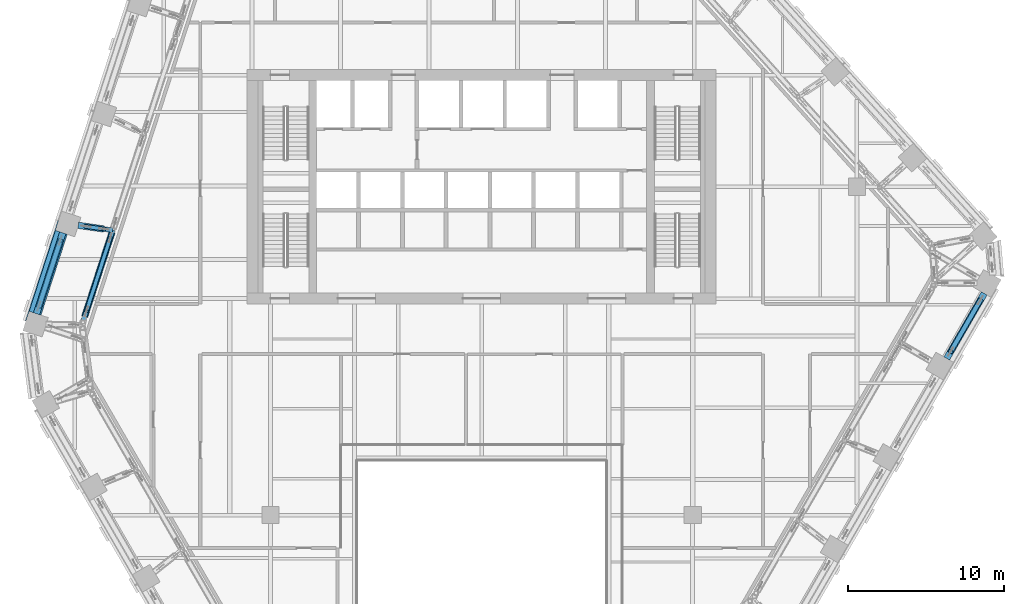
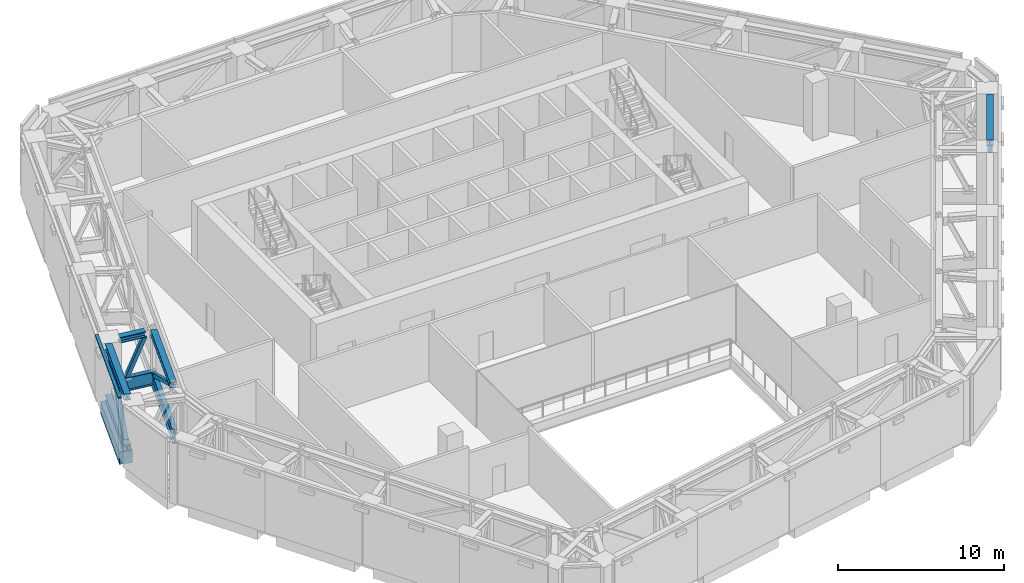
# One storey, part 8 of 26: 12 members, 1 beam, 1 element without a shape of its own.
"""IFC4 building model written with IfcOpenShell, lengths in metres."""

from ifc_helpers import new_model, si_unit, direction, frame, origin, origin_2d, place, context, subcontext, project, spatial, rectangle, hollow_rectangle, i_section, extrude, material, layer, layer_set, material_profile, profile_set, type_object, element, aggregate, save


model = new_model("IFC4")

# Units and contexts
model_context = context("Model", 3, precision=1e-05, world=origin(), true_north=direction((0.0, 1.0)))
body_context = subcontext(model_context, "Body", "Model", "MODEL_VIEW")
ifc_project = project(units=[si_unit("LENGTHUNIT", "METRE"), si_unit("AREAUNIT", "SQUARE_METRE"), si_unit("VOLUMEUNIT", "CUBIC_METRE"), si_unit("PLANEANGLEUNIT", "RADIAN"), si_unit("MASSUNIT", "GRAM", prefix="KILO")], contexts=[model_context])

# Site, building, storey
site_placement = place(None, origin())
site = spatial("IfcSite", under=ifc_project, at=site_placement, CompositionType="ELEMENT")
building_placement = place(site_placement, origin())
building = spatial("IfcBuilding", under=site, at=building_placement, Name="Isthmus Gate Tower", CompositionType="ELEMENT")
storey_placement = place(building_placement, frame((0.0, 0.0, 207.300048828125)))
storey = spatial("IfcBuildingStorey", under=building, at=storey_placement, Name="L52", CompositionType="ELEMENT", Elevation=207.300048828125)

# Members
ifc_material_1 = material(Name="Structural steel ASTM A913 Gr 65", Category="steel")
ifc_material_profile_1 = material_profile(ifc_material_1, i_section(OverallWidth=0.42236328125, OverallDepth=0.46337890625, WebThickness=0.04443359375, FlangeThickness=0.072998046875, at=origin_2d()), Name="W14X398")
ifc_profile_set_1 = profile_set([ifc_material_profile_1], Name="Structural steel ASTM A913 Gr 65")
member_type_1 = type_object("IfcMemberType", Name="BELT TRUSS CHORD W14X398", PredefinedType="CHORD", material=ifc_profile_set_1)
member_1_placement = place(storey_placement, frame((32.146728515625, 0.6796875, 3.96826171875), z_axis=(-0.500017431331, -0.866015339567, 0.0), x_axis=(0.866015339567, -0.500017431331, 0.0)))
element("IfcMember", 1, at=member_1_placement, inside=storey, type_object=member_type_1, Name="str-belt06-L52-02", PredefinedType="CHORD", context=body_context, shape_type="SweptSolid", body=[
    extrude(i_section(OverallWidth=0.42236328125, OverallDepth=0.46337890625, WebThickness=0.04443359375, FlangeThickness=0.072998046875, at=origin_2d()), origin(), (0.0, 0.0, 1.0), 4.800048828125),
])
for number, where, z_axis, x_axis, name in (
    (2, (-28.47314453125, -0.619384765625, 0.231689453125), (0.309030267747, 0.951052203413, 0.0), (-0.951052203413, 0.309030267747, 0.0), "str-belt21-L52-01"),
    (3, (-28.47314453125, -0.619384765625, 3.96826171875), (0.309030267747, 0.951052203413, 0.0), (-0.951052203413, 0.309030267747, 0.0), "str-belt21-L52-02"),
):
    element("IfcMember", number, at=place(storey_placement, frame(where, z_axis=z_axis, x_axis=x_axis)), inside=storey, type_object=member_type_1, Name=name, PredefinedType="CHORD", context=body_context, shape_type="SweptSolid", body=[
        extrude(i_section(OverallWidth=0.42236328125, OverallDepth=0.46337890625, WebThickness=0.04443359375, FlangeThickness=0.072998046875, at=origin_2d()), origin(), (0.0, 0.0, 1.0), 5.44091796875),
    ])

# Curtain wall, member
ifc_material_2 = material(Name="Aluminium, pale champagne anodised", Category="aluminium")
ifc_layer = layer(ifc_material_2, 0.199951171875)
ifc_layer_set = layer_set([ifc_layer], Name="CW-2 LOUVRE CURTAIN WALL 200 DEEP")
curtain_wall_type = type_object("IfcCurtainWallType", Name="CW-2 LOUVRE CURTAIN WALL 200 DEEP", PredefinedType="NOTDEFINED", material=ifc_layer_set)
curtain_wall_placement = place(storey_placement, origin())
curtain_wall = element("IfcCurtainWall", 4, at=curtain_wall_placement, inside=storey, type_object=curtain_wall_type, Name="CW-2 NW L52", PredefinedType="NOTDEFINED")
ifc_material_3 = material(Name="Aluminium, pale champagne anodised", Category="aluminium")
ifc_material_profile_2 = material_profile(ifc_material_3, rectangle(XDim=0.199951171875, YDim=0.110107421875, at=origin_2d()), Name="200x110")
ifc_profile_set_2 = profile_set([ifc_material_profile_2], Name="Aluminium, pale champagne anodised")
member_type_2 = type_object("IfcMemberType", Name="CW-2 TRANSOM 200 X 110", PredefinedType="USERDEFINED", material=ifc_profile_set_2)
member_2_placement = place(storey_placement, frame((-27.16162109375, 5.358642578125, 4.445068359375), z_axis=(-0.309014822289, -0.951057222046, 0.0), x_axis=(0.951057222046, -0.309014822289, 0.0)))
member_2 = element("IfcMember", 5, at=member_2_placement, type_object=member_type_2, Name="CW-2 transom", ObjectType="TRANSOM", PredefinedType="USERDEFINED", context=body_context, shape_type="SweptSolid", body=[
    extrude(rectangle(XDim=0.199951171875, YDim=0.110107421875, at=origin_2d()), origin(), (0.0, 0.0, 1.0), 6.74072265625),
])
aggregate(curtain_wall, [member_2])

# Beam
ifc_material_4 = material(Name="Concrete f'c 60 MPa", Category="concrete")
ifc_material_profile_3 = material_profile(ifc_material_4, rectangle(XDim=0.800048828125, YDim=0.89990234375, at=origin_2d()), Name="RC 800X900")
ifc_profile_set_3 = profile_set([ifc_material_profile_3], Name="Concrete f'c 60 MPa")
beam_type = type_object("IfcBeamType", Name="RC SPANDREL 800 X 900", PredefinedType="SPANDREL", material=ifc_profile_set_3)
beam_placement = place(storey_placement, frame((-28.568115234375, -0.588623046875, -0.449951171875), z_axis=(0.308989680586, 0.95106539065, 0.0), x_axis=(-0.95106539065, 0.308989680586, 0.0)))
element("IfcBeam", 6, at=beam_placement, inside=storey, type_object=beam_type, Name="str-spandrel-L52-21", PredefinedType="SPANDREL", context=body_context, shape_type="SweptSolid", body=[
    extrude(rectangle(XDim=0.800048828125, YDim=0.89990234375, at=origin_2d()), origin(), (0.0, 0.0, 1.0), 5.44091796875),
])

# Members
ifc_material_5 = material(Name="Structural steel ASTM A913 Gr 65", Category="steel")
ifc_material_profile_4 = material_profile(ifc_material_5, i_section(OverallWidth=0.406494140625, OverallDepth=0.416015625, WebThickness=0.0302734375, FlangeThickness=0.047607421875, at=origin_2d()), Name="W14X257")
ifc_profile_set_4 = profile_set([ifc_material_profile_4], Name="Structural steel ASTM A913 Gr 65")
member_type_3 = type_object("IfcMemberType", Name="TRANSFER TRUSS CHORD W14X257", PredefinedType="CHORD", material=ifc_profile_set_4)
member_3_placement = place(storey_placement, frame((-25.396240234375, -0.8076171875, 3.89208984375), z_axis=(0.309007454735, 0.951059615859, 0.0), x_axis=(-0.951059615859, 0.309007454735, 0.0)))
element("IfcMember", 7, at=member_3_placement, inside=storey, type_object=member_type_3, Name="str-ring09-L52-14", PredefinedType="CHORD", context=body_context, shape_type="SweptSolid", body=[
    extrude(i_section(OverallWidth=0.406494140625, OverallDepth=0.416015625, WebThickness=0.0302734375, FlangeThickness=0.047607421875, at=origin_2d()), origin(), (0.0, 0.0, 1.0), 5.687744140625),
])
member_4_placement = place(storey_placement, frame((-25.8046875, 5.03564453125, 3.89208984375), z_axis=(0.990071983191, -0.14056126102, 0.0), x_axis=(0.14056126102, 0.990071983191, 0.0)))
element("IfcMember", 8, at=member_4_placement, inside=storey, type_object=member_type_3, Name="str-link08-L52-02", PredefinedType="CHORD", context=body_context, shape_type="SweptSolid", body=[
    extrude(i_section(OverallWidth=0.406494140625, OverallDepth=0.416015625, WebThickness=0.0302734375, FlangeThickness=0.047607421875, at=origin_2d()), origin(), (0.0, 0.0, 1.0), 1.669189453125),
])
ifc_material_6 = material(Name="Structural steel ASTM A913 Gr 65", Category="steel")
ifc_material_profile_5 = material_profile(ifc_material_6, i_section(OverallWidth=0.29833984375, OverallDepth=0.981201171875, WebThickness=0.015869140625, FlangeThickness=0.025390625, at=origin_2d()), Name="W40X167")
ifc_profile_set_5 = profile_set([ifc_material_profile_5], Name="Structural steel ASTM A913 Gr 65")
member_type_4 = type_object("IfcMemberType", Name="TRANSFER TRUSS CHORD W40X167", PredefinedType="CHORD", material=ifc_profile_set_5)
member_5_placement = place(storey_placement, frame((-25.567138671875, -1.333740234375, 0.490478515625), z_axis=(0.309007183975, 0.951059703831, 0.0), x_axis=(-0.951059703831, 0.309007183975, 0.0)))
element("IfcMember", 9, at=member_5_placement, inside=storey, type_object=member_type_4, Name="str-ring09-L52-09", PredefinedType="CHORD", context=body_context, shape_type="SweptSolid", body=[
    extrude(i_section(OverallWidth=0.29833984375, OverallDepth=0.981201171875, WebThickness=0.015869140625, FlangeThickness=0.025390625, at=origin_2d()), origin(), (0.0, 0.0, 1.0), 6.3681640625),
])
member_6_placement = place(storey_placement, frame((-25.8046875, 5.03564453125, 0.490478515625), z_axis=(0.990078415718, -0.140515944753, 0.0), x_axis=(0.140515944753, 0.990078415718, 0.0)))
element("IfcMember", 10, at=member_6_placement, inside=storey, type_object=member_type_4, Name="str-link08-L52-01", PredefinedType="CHORD", context=body_context, shape_type="SweptSolid", body=[
    extrude(i_section(OverallWidth=0.29833984375, OverallDepth=0.981201171875, WebThickness=0.015869140625, FlangeThickness=0.025390625, at=origin_2d()), origin(), (0.0, 0.0, 1.0), 2.2275390625),
])
ifc_material_7 = material(Name="Structural steel ASTM A500 Gr C", Category="steel")
ifc_material_profile_6 = material_profile(ifc_material_7, hollow_rectangle(XDim=0.25390625, YDim=0.25390625, WallThickness=0.01171875, at=origin_2d()), Name="HSS10X10X1/2")
ifc_profile_set_6 = profile_set([ifc_material_profile_6], Name="Structural steel ASTM A500 Gr C")
member_type_5 = type_object("IfcMemberType", Name="TRANSFER TRUSS DIAGONAL HSS10X10X1/2", PredefinedType="BRACE", material=ifc_profile_set_6)
member_7_placement = place(storey_placement, frame((-23.75390625, 4.2470703125, 0.98095703125), z_axis=(-0.271108339016, -0.834389549865, 0.479889932788), x_axis=(0.951056938398, -0.309015695272, 0.0)))
element("IfcMember", 11, at=member_7_placement, inside=storey, type_object=member_type_5, Name="str-ring09-L52-19", PredefinedType="BRACE", context=body_context, shape_type="SweptSolid", body=[
    extrude(hollow_rectangle(XDim=0.25390625, YDim=0.25390625, WallThickness=0.01171875, at=origin_2d()), origin(), (0.0, 0.0, 1.0), 5.6328125),
])
member_8_placement = place(storey_placement, frame((-25.309814453125, 4.96533203125, 0.98095703125), z_axis=(0.39308571273, -0.05578799761, 0.917807889359), x_axis=(0.140515151734, 0.990078528266, 0.0)))
element("IfcMember", 12, at=member_8_placement, inside=storey, type_object=member_type_5, Name="str-link08-L52-03", PredefinedType="BRACE", context=body_context, shape_type="SweptSolid", body=[
    extrude(hollow_rectangle(XDim=0.25390625, YDim=0.25390625, WallThickness=0.01171875, at=origin_2d()), origin(), (0.0, 0.0, 1.0), 2.9453125),
])
ifc_material_8 = material(Name="Structural steel ASTM A500 Gr C", Category="steel")
ifc_material_profile_7 = material_profile(ifc_material_8, hollow_rectangle(XDim=0.3046875, YDim=0.3046875, WallThickness=0.014892578125, at=origin_2d()), Name="HSS12X12X5/8")
ifc_profile_set_7 = profile_set([ifc_material_profile_7], Name="Structural steel ASTM A500 Gr C")
member_type_6 = type_object("IfcMemberType", Name="TRUSS DIAGONAL HSS12X12X5/8", PredefinedType="BRACE", material=ifc_profile_set_7)
member_9_placement = place(storey_placement, frame((31.896728515625, 0.24658203125, 0.46337890625), z_axis=(-0.378855637357, -0.65617037024, 0.652616925357), x_axis=(0.86601654697, -0.500015340139, 0.0)))
element("IfcMember", 13, at=member_9_placement, inside=storey, type_object=member_type_6, Name="str-belt06-L52-03", PredefinedType="BRACE", context=body_context, shape_type="SweptSolid", body=[
    extrude(hollow_rectangle(XDim=0.3046875, YDim=0.3046875, WallThickness=0.014892578125, at=origin_2d()), origin(), (0.0, 0.0, 1.0), 5.015380859375),
])
member_10_placement = place(storey_placement, frame((-28.318603515625, -0.143798828125, 0.46337890625), z_axis=(0.248756098526, 0.765563378118, 0.593323788105), x_axis=(-0.951053055719, 0.309027644731, 0.0)))
element("IfcMember", 14, at=member_10_placement, inside=storey, type_object=member_type_6, Name="str-belt21-L52-03", PredefinedType="BRACE", context=body_context, shape_type="SweptSolid", body=[
    extrude(hollow_rectangle(XDim=0.3046875, YDim=0.3046875, WallThickness=0.014892578125, at=origin_2d()), origin(), (0.0, 0.0, 1.0), 5.5166015625),
])

save(model, "model.ifc")
